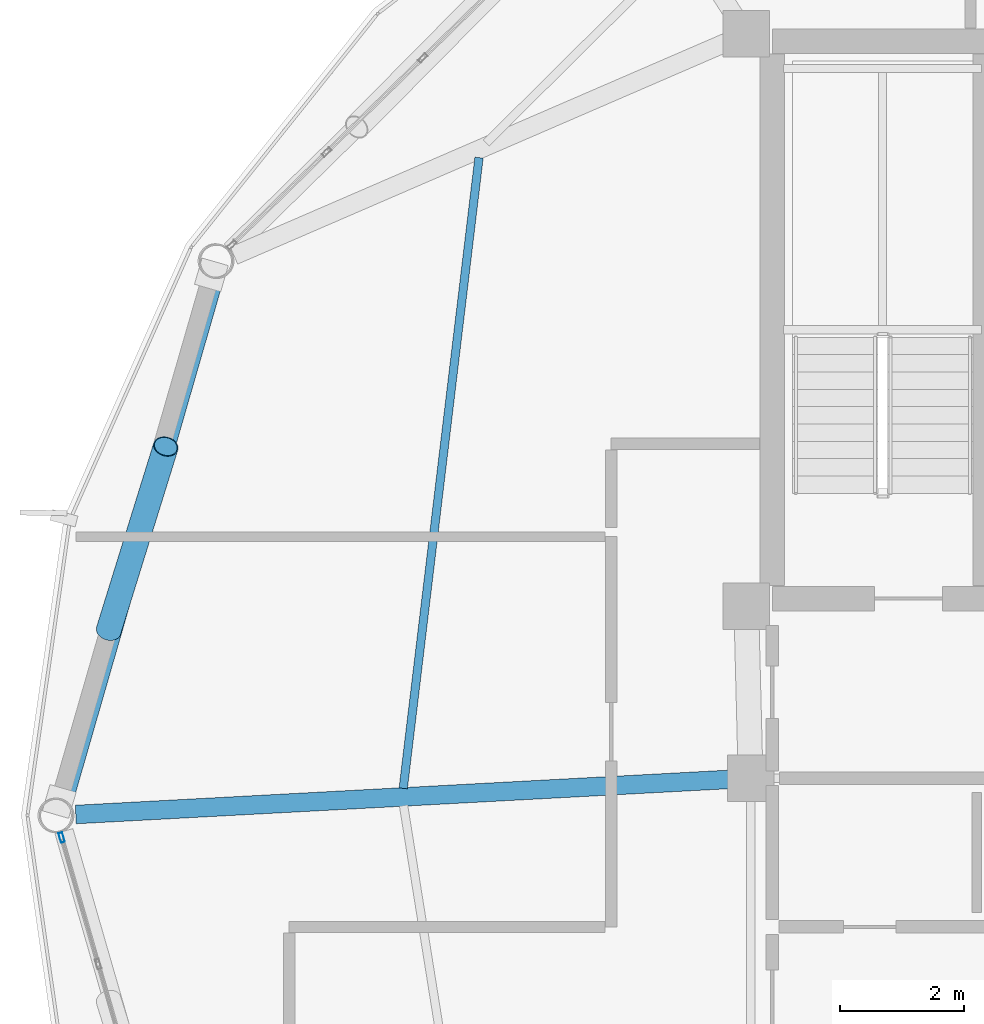
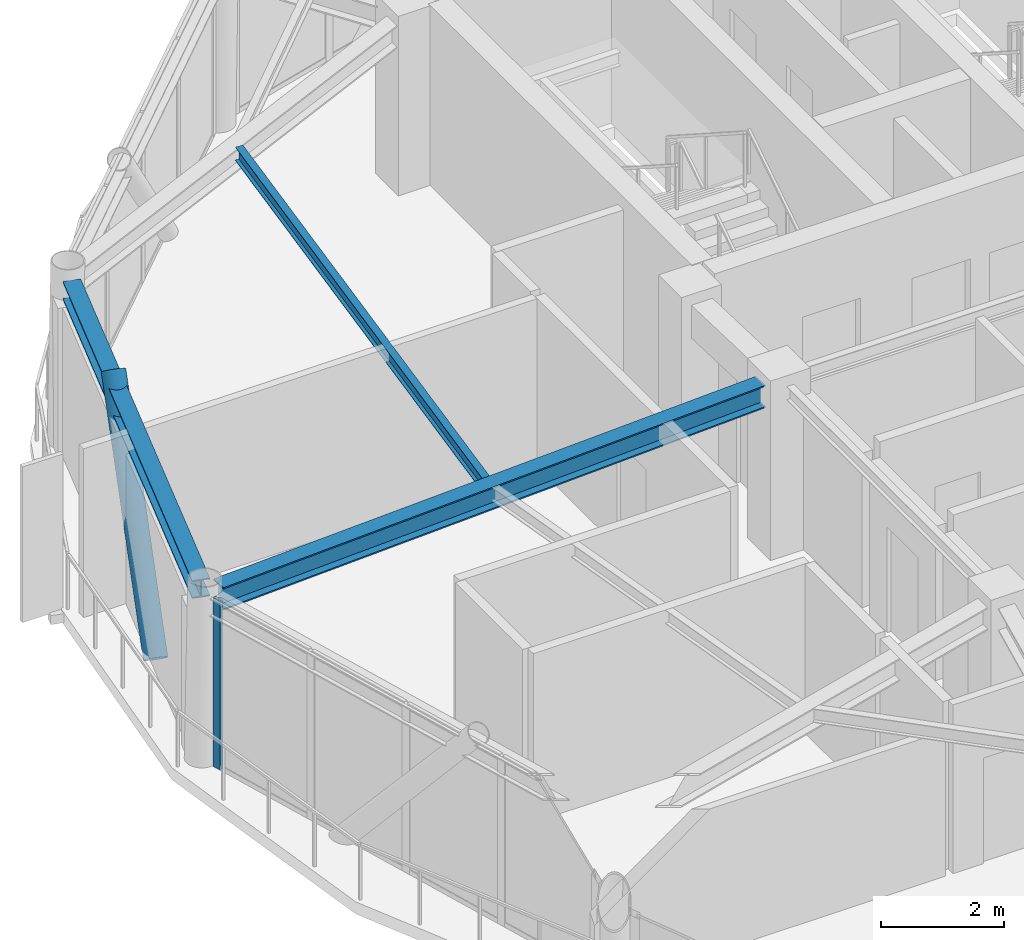
# One storey, part 10 of 25: 3 beams, 2 members, 1 element without a shape of its own.
"""IFC4 building model written with IfcOpenShell, lengths in metres."""

import ifcopenshell
import ifcopenshell.guid

model = None  # the IFC model being written
_history = None  # IfcOwnerHistory: only IFC2X3 demands one
_inside = {}  # id of a spatial element -> (the spatial element, [elements in it])
_under = {}  # id of a project, library or spatial element -> (it, [spatial elements below it])
_declared = {}  # id of a project -> (the project, [libraries it declares])
_typed = {}  # id of a type object -> (the type object, [elements of that type])
_made_of = {}  # id of a material, layer set ... -> (it, [elements and type objects made of it])


def new_model(schema):
    """Start an empty IFC model of exactly this schema.

    Asked for "IFC4X3", IfcOpenShell would pick the latest addendum, in which some entities
    have other attributes; the version numbers below select the first issue.
    IFC2X3 requires an IfcOwnerHistory on every rooted entity: one is made here for all.
    """
    global model, _history
    if schema == "IFC4X3":
        model = ifcopenshell.file(schema_version=(4, 3, 0, 0))
    else:
        model = ifcopenshell.file(schema=schema)
    _inside.clear()
    _under.clear()
    _declared.clear()
    _typed.clear()
    _made_of.clear()
    _history = None
    if model.schema == "IFC2X3":
        org = make("IfcOrganization", Name="unknown")
        user = make(
            "IfcPersonAndOrganization",
            ThePerson=make("IfcPerson", FamilyName="unknown"),
            TheOrganization=org,
        )
        app = make(
            "IfcApplication",
            ApplicationDeveloper=org,
            Version="unknown",
            ApplicationFullName="unknown",
            ApplicationIdentifier="unknown",
        )
        _history = make(
            "IfcOwnerHistory",
            OwningUser=user,
            OwningApplication=app,
            ChangeAction="ADDED",
            CreationDate=0,
        )
    return model


def make(cls, **values):
    """One entity of the class cls with the attributes given. An attribute that is None is left unset."""
    return model.create_entity(
        cls, **{name: value for name, value in values.items() if value is not None}
    )


def rooted(cls, **values):
    """An entity with a GlobalId (a new one), such as an element, a storey or a relation."""
    return make(cls, GlobalId=ifcopenshell.guid.new(), OwnerHistory=_history, **values)


def si_unit(unit_type, name, prefix=None):
    """IfcSIUnit, for example si_unit("LENGTHUNIT", "METRE", prefix="MILLI")."""
    return make("IfcSIUnit", UnitType=unit_type, Prefix=prefix, Name=name)


def assignment(units):
    """IfcUnitAssignment: the units of a project."""
    return None if units is None else make("IfcUnitAssignment", Units=units)


def point(xyz):
    """IfcCartesianPoint."""
    return None if xyz is None else make("IfcCartesianPoint", Coordinates=xyz)


def direction(xyz):
    """IfcDirection."""
    return None if xyz is None else make("IfcDirection", DirectionRatios=xyz)


def frame(location, z_axis=None, x_axis=None):
    """IfcAxis2Placement3D, a coordinate frame: its origin and axes. An axis left out is left unset."""
    return make(
        "IfcAxis2Placement3D",
        Location=point(location),
        Axis=direction(z_axis),
        RefDirection=direction(x_axis),
    )


def frame_2d(location, x_axis=None):
    """IfcAxis2Placement2D, a coordinate frame in the plane: its origin and x axis."""
    return make(
        "IfcAxis2Placement2D", Location=point(location), RefDirection=direction(x_axis)
    )


def origin():
    """The frame at (0, 0, 0) with its axes left unset."""
    return frame((0.0, 0.0, 0.0))


def origin_2d():
    """The frame at (0, 0) in the plane with its x axis left unset."""
    return frame_2d((0.0, 0.0))


def place(relative_to, where):
    """IfcLocalPlacement: puts the frame where relative to a parent placement (None: the world)."""
    return make(
        "IfcLocalPlacement", PlacementRelTo=relative_to, RelativePlacement=where
    )


def context(
    kind, dimensions, precision=None, world=None, true_north=None, identifier=None
):
    """IfcGeometricRepresentationContext, for example the 3D "Model" context."""
    return make(
        "IfcGeometricRepresentationContext",
        ContextIdentifier=identifier,
        ContextType=kind,
        CoordinateSpaceDimension=dimensions,
        Precision=precision,
        WorldCoordinateSystem=world,
        TrueNorth=true_north,
    )


def subcontext(parent, identifier, kind, view, scale=None):
    """IfcGeometricRepresentationSubContext, for example "Body" below "Model"."""
    return make(
        "IfcGeometricRepresentationSubContext",
        ContextIdentifier=identifier,
        ContextType=kind,
        ParentContext=parent,
        TargetScale=scale,
        TargetView=view,
    )


def project(units=None, contexts=None):
    """IfcProject with its units and contexts."""
    return rooted(
        "IfcProject",
        Name="project",
        RepresentationContexts=contexts,
        UnitsInContext=assignment(units),
    )


def spatial(cls, under=None, at=None, **own):
    """A site, building, storey or space (cls), placed at a placement, below another one or the project."""
    s = rooted(cls, ObjectPlacement=at, **own)
    if under is not None:
        _under.setdefault(under.id(), (under, []))[1].append(s)
    return s


def profile(cls, at=None, kind="AREA", **sizes):
    """A parametric profile (cls). Its sizes go by their IFC names, for example OverallWidth=200.0."""
    return make(cls, ProfileType=kind, Position=at, **sizes)


def hollow_rectangle(**sizes):
    """IfcRectangleHollowProfileDef."""
    return profile("IfcRectangleHollowProfileDef", **sizes)


def hollow_circle(**sizes):
    """IfcCircleHollowProfileDef."""
    return profile("IfcCircleHollowProfileDef", **sizes)


def i_section(**sizes):
    """IfcIShapeProfileDef."""
    return profile("IfcIShapeProfileDef", **sizes)


def extrude(swept, where, along, depth):
    """IfcExtrudedAreaSolid: the profile swept, set in the frame where, extruded along a direction by depth."""
    return make(
        "IfcExtrudedAreaSolid",
        SweptArea=swept,
        Position=where,
        ExtrudedDirection=direction(along),
        Depth=depth,
    )


def shape(context_of_items, identifier, shape_type, items):
    """IfcShapeRepresentation: the items that make up one representation, for example the "Body"."""
    return make(
        "IfcShapeRepresentation",
        ContextOfItems=context_of_items,
        RepresentationIdentifier=identifier,
        RepresentationType=shape_type,
        Items=items,
    )


def material(Name=None, Category=None):
    """IfcMaterial."""
    return make("IfcMaterial", Name=Name, Category=Category)


def layer(
    of_material, thickness, ventilated=None, Name=None, Category=None, Priority=None
):
    """IfcMaterialLayer: one layer of a wall or slab, of a material (None: an air gap)."""
    return make(
        "IfcMaterialLayer",
        Material=of_material,
        LayerThickness=thickness,
        IsVentilated=ventilated,
        Name=Name,
        Category=Category,
        Priority=Priority,
    )


def layer_set(layers, Name=None):
    """IfcMaterialLayerSet."""
    return make("IfcMaterialLayerSet", MaterialLayers=layers, LayerSetName=Name)


def material_profile(
    of_material, cross_section, Name=None, Category=None, Priority=None
):
    """IfcMaterialProfile: a cross section and its material."""
    return make(
        "IfcMaterialProfile",
        Name=Name,
        Material=of_material,
        Profile=cross_section,
        Priority=Priority,
        Category=Category,
    )


def profile_set(profiles, Name=None, composite=None):
    """IfcMaterialProfileSet."""
    return make(
        "IfcMaterialProfileSet",
        Name=Name,
        MaterialProfiles=profiles,
        CompositeProfile=composite,
    )


def made_of(thing, what):
    """Note that an element or type object is made of a material, layer set ...; save() writes the relation."""
    if what is not None:
        _made_of.setdefault(what.id(), (what, []))[1].append(thing)
    return thing


def type_object(cls, material=None, **own):
    """A type object (cls), such as IfcWallType, which elements share."""
    return made_of(rooted(cls, **own), material)


def element(
    cls,
    number,
    at=None,
    inside=None,
    cuts=None,
    type_object=None,
    material=None,
    context=None,
    identifier="Body",
    shape_type=None,
    held_by="IfcProductDefinitionShape",
    body=None,
    shapes=None,
    **own,
):
    """One element of the class cls, such as IfcWall. Its Tag is "e" and its number.

    at: its placement. inside: the storey or other place that contains it. cuts: it is an
    opening in that element (IfcRelVoidsElement). A single representation is given by context,
    identifier, shape_type and body (its items); several are given by shapes. held_by: the class
    of the entity that holds the representations. save() writes the other relations.
    """
    e = rooted(cls, Tag="e%d" % number, ObjectPlacement=at, **own)
    if body is not None:
        shapes = [shape(context, identifier, shape_type, body)]
    if shapes is not None:
        e.Representation = make(held_by, Representations=shapes)
    if inside is not None:
        _inside.setdefault(inside.id(), (inside, []))[1].append(e)
    if cuts is not None:
        rooted(
            "IfcRelVoidsElement", RelatingBuildingElement=cuts, RelatedOpeningElement=e
        )
    if type_object is not None:
        _typed.setdefault(type_object.id(), (type_object, []))[1].append(e)
    return made_of(e, material)


def aggregate(whole, parts):
    """IfcRelAggregates: a whole, such as a stair, and the parts it consists of."""
    return rooted("IfcRelAggregates", RelatingObject=whole, RelatedObjects=parts)


def save(model, path):
    """Write the relations noted so far, then the file.

    IfcRelAggregates (storeys below a building ...), IfcRelContainedInSpatialStructure (elements
    in a storey), IfcRelDefinesByType, IfcRelAssociatesMaterial and IfcRelDeclares: one each for
    every whole, place, type object, material and project.
    """
    for whole, parts in _under.values():
        aggregate(whole, parts)
    for where, things in _inside.values():
        rooted(
            "IfcRelContainedInSpatialStructure",
            RelatedElements=things,
            RelatingStructure=where,
        )
    for kind, things in _typed.values():
        rooted("IfcRelDefinesByType", RelatedObjects=things, RelatingType=kind)
    for what, things in _made_of.values():
        rooted("IfcRelAssociatesMaterial", RelatedObjects=things, RelatingMaterial=what)
    for by, libraries in _declared.values():
        rooted("IfcRelDeclares", RelatingContext=by, RelatedDefinitions=libraries)
    model.write(path)


model = new_model("IFC4")

# Units and contexts
model_context = context("Model", 3, precision=1e-05, world=origin(), true_north=direction((0.0, 1.0)))
body_context = subcontext(model_context, "Body", "Model", "MODEL_VIEW")
ifc_project = project(units=[si_unit("LENGTHUNIT", "METRE"), si_unit("AREAUNIT", "SQUARE_METRE"), si_unit("VOLUMEUNIT", "CUBIC_METRE"), si_unit("PLANEANGLEUNIT", "RADIAN"), si_unit("MASSUNIT", "GRAM", prefix="KILO")], contexts=[model_context])

# Site, building, storey
site_placement = place(None, origin())
site = spatial("IfcSite", under=ifc_project, at=site_placement, CompositionType="ELEMENT")
building_placement = place(site_placement, origin())
building = spatial("IfcBuilding", under=site, at=building_placement, Name="Varnakorn Sky Granary", CompositionType="ELEMENT")
storey_placement = place(building_placement, frame((0.0, 0.0, 252.60009765625)))
storey = spatial("IfcBuildingStorey", under=building, at=storey_placement, Name="L64", CompositionType="ELEMENT", Elevation=252.60009765625)

# Beams
ifc_material_1 = material(Name="Steel S355JR", Category="steel")
ifc_material_profile_1 = material_profile(ifc_material_1, i_section(OverallWidth=0.300048828125, OverallDepth=0.449951171875, WebThickness=0.013916015625, FlangeThickness=0.02587890625, at=origin_2d()), Name="HE 450 B")
ifc_profile_set_1 = profile_set([ifc_material_profile_1], Name="Steel S355JR")
beam_type_1 = type_object("IfcBeamType", Name="BM-RAD-Z5", PredefinedType="BEAM", material=ifc_profile_set_1)
beam_1_placement = place(storey_placement, frame((-2.70458984375, 0.580810546875, 3.135009765625), z_axis=(-0.998558298392, -0.053677972313, 0.0), x_axis=(0.053677972313, -0.998558298392, 0.0)))
element("IfcBeam", 1, at=beam_1_placement, inside=storey, type_object=beam_type_1, Name="Radial Floor Girder RG07 L64", PredefinedType="BEAM", context=body_context, shape_type="SweptSolid", body=[
    extrude(i_section(OverallWidth=0.300048828125, OverallDepth=0.449951171875, WebThickness=0.013916015625, FlangeThickness=0.02587890625, at=origin_2d()), origin(), (0.0, 0.0, 1.0), 10.556396484375),
])
ifc_material_profile_2 = material_profile(ifc_material_1, i_section(OverallWidth=0.135009765625, OverallDepth=0.27001953125, WebThickness=0.006591796875, FlangeThickness=0.01025390625, at=origin_2d()), Name="IPE 270")
ifc_profile_set_2 = profile_set([ifc_material_profile_2], Name="Steel S355JR")
beam_type_2 = type_object("IfcBeamType", Name="BM-SEC-Z5", PredefinedType="BEAM", material=ifc_profile_set_2)
beam_2_placement = place(storey_placement, frame((-6.73486328125, 10.62060546875, 3.224853515625), z_axis=(-0.119293509879, -0.992859032542, 0.0), x_axis=(0.992859032542, -0.119293509879, 0.0)))
element("IfcBeam", 2, at=beam_2_placement, inside=storey, type_object=beam_type_2, Name="Secondary Floor Chord Beam MSB06 L64", PredefinedType="BEAM", context=body_context, shape_type="SweptSolid", body=[
    extrude(i_section(OverallWidth=0.135009765625, OverallDepth=0.27001953125, WebThickness=0.006591796875, FlangeThickness=0.01025390625, at=origin_2d()), origin(), (0.0, 0.0, 1.0), 10.25732421875),
])
ifc_material_profile_3 = material_profile(ifc_material_1, i_section(OverallWidth=0.300048828125, OverallDepth=0.360107421875, WebThickness=0.012451171875, FlangeThickness=0.0224609375, at=origin_2d()), Name="HE 360 B")
ifc_profile_set_3 = profile_set([ifc_material_profile_3], Name="Steel S355JR")
beam_type_3 = type_object("IfcBeamType", Name="BM-SPD-Z5", PredefinedType="SPANDREL", material=ifc_profile_set_3)
beam_3_placement = place(storey_placement, frame((-11.006591796875, 8.680908203125, 3.179931640625), z_axis=(-0.277095414321, -0.960842407142, 0.0), x_axis=(0.960842407142, -0.277095414321, 0.0)))
element("IfcBeam", 3, at=beam_3_placement, inside=storey, type_object=beam_type_3, Name="Perimeter Spandrel Ring Beam RB06 L64", PredefinedType="SPANDREL", context=body_context, shape_type="SweptSolid", body=[
    extrude(i_section(OverallWidth=0.300048828125, OverallDepth=0.360107421875, WebThickness=0.012451171875, FlangeThickness=0.0224609375, at=origin_2d()), origin(), (0.0, 0.0, 1.0), 8.770263671875),
])

# Curtain wall, member
ifc_material_2 = material(Name="Anodised Bronze Aluminium Alloy 6063-T6", Category="aluminium")
ifc_layer = layer(ifc_material_2, 0.159912109375, Name="Anodised Bronze Aluminium Alloy 6063-T6")
ifc_layer_set = layer_set([ifc_layer], Name="Anodised Bronze Aluminium Alloy 6063-T6")
curtain_wall_type = type_object("IfcCurtainWallType", Name="CW-OFF-1", PredefinedType="USERDEFINED", material=ifc_layer_set)
curtain_wall_placement = place(storey_placement, origin())
curtain_wall = element("IfcCurtainWall", 4, at=curtain_wall_placement, inside=storey, type_object=curtain_wall_type, Name="Unitised Curtain Wall CW6 CW-L64-B07", ObjectType="CURTAIN WALL", PredefinedType="USERDEFINED")
ifc_material_profile_4 = material_profile(ifc_material_2, hollow_rectangle(XDim=0.06494140625, YDim=0.159912109375, WallThickness=0.00341796875, at=origin_2d()), Name="ALU MULL 65x160")
ifc_profile_set_4 = profile_set([ifc_material_profile_4], Name="Anodised Bronze Aluminium Alloy 6063-T6")
member_type_1 = type_object("IfcMemberType", Name="CW-OFF-1-MULL", PredefinedType="MULLION", material=ifc_profile_set_4)
member_1_placement = place(storey_placement, frame((-13.473876953125, -0.357421875, 0.0), z_axis=(0.0, 0.0, 1.0), x_axis=(-0.960725361921, -0.277500953082, 0.0)))
member_1 = element("IfcMember", 5, at=member_1_placement, type_object=member_type_1, Name="CW6 mullion 5", PredefinedType="MULLION", context=body_context, shape_type="SweptSolid", body=[
    extrude(hollow_rectangle(XDim=0.06494140625, YDim=0.159912109375, WallThickness=0.00341796875, at=origin_2d()), origin(), (0.0, 0.0, 1.0), 3.35986328125),
])
aggregate(curtain_wall, [member_1])

# Member
ifc_material_3 = material(Name="Steel S460M", Category="steel")
ifc_material_profile_5 = material_profile(ifc_material_3, hollow_circle(Radius=0.203125, WallThickness=0.01611328125, at=origin_2d()), Name="CHS 406.4x16")
ifc_profile_set_5 = profile_set([ifc_material_profile_5], Name="Steel S460M")
member_type_2 = type_object("IfcMemberType", Name="MB-DIAG-T4", PredefinedType="BRACE", material=ifc_profile_set_5)
member_2_placement = place(storey_placement, frame((-12.715087890625, 2.98388671875, -0.130126953125), z_axis=(0.193291016837, 0.62267320424, 0.758232591974), x_axis=(-0.955043463646, 0.296465820201, 0.0)))
element("IfcMember", 6, at=member_2_placement, inside=storey, type_object=member_type_2, Name="Perimeter CHS Diagrid Brace DG06 L64", PredefinedType="BRACE", context=body_context, shape_type="SweptSolid", body=[
    extrude(hollow_circle(Radius=0.203125, WallThickness=0.01611328125, at=origin_2d()), origin(), (0.0, 0.0, 1.0), 4.7744140625),
])

save(model, "model.ifc")
